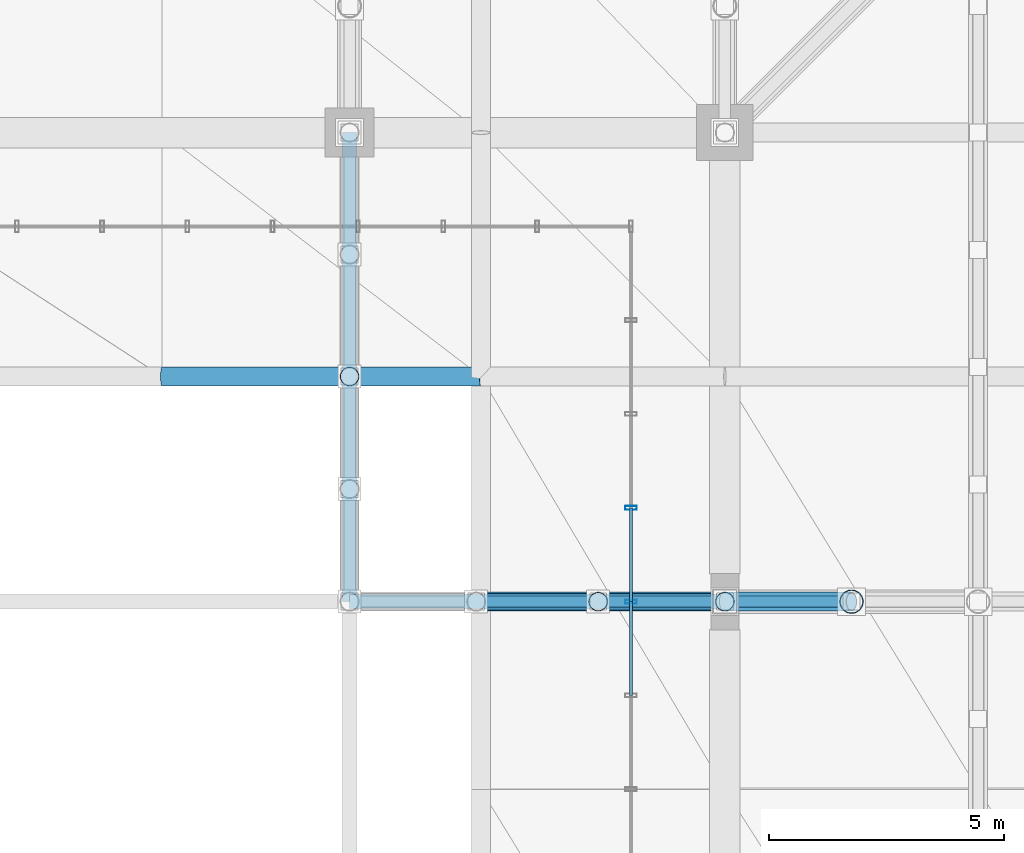
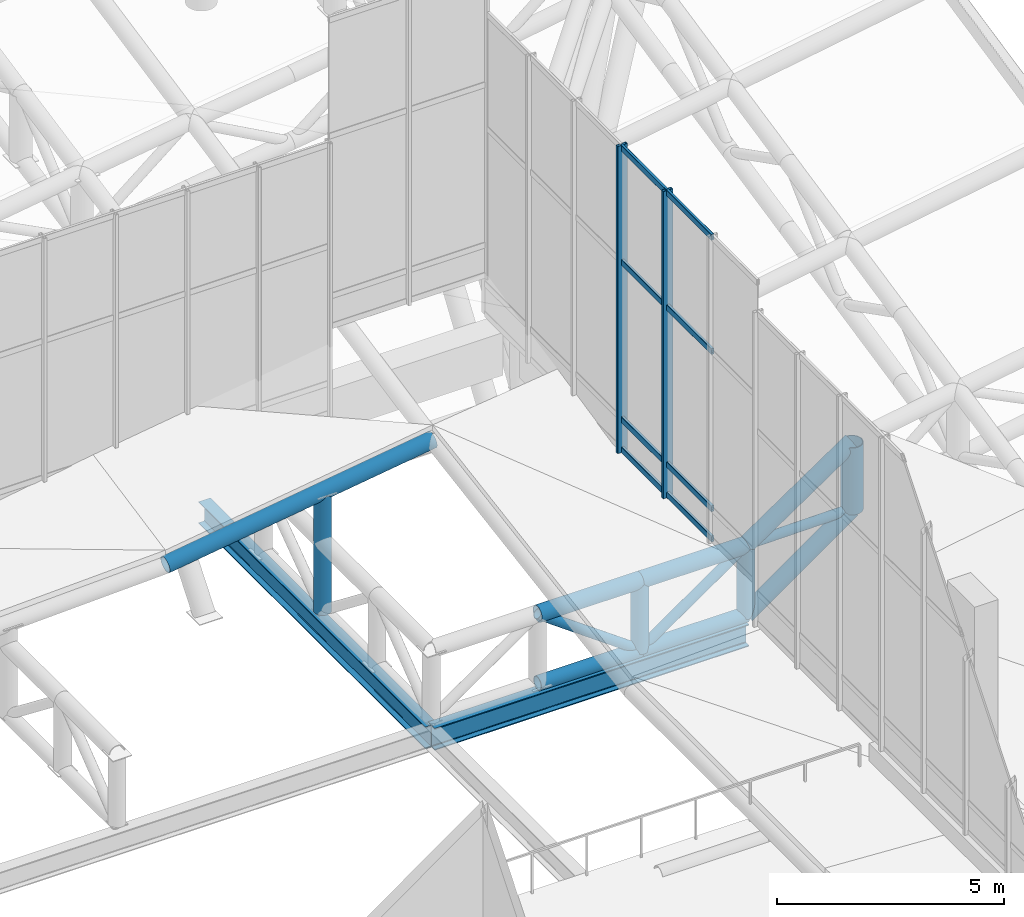
# One storey, part 86 of 137: 24 members, 2 beams, 1 element without a shape of its own.
"""IFC4 building model written with IfcOpenShell, lengths in metres."""

import ifcopenshell
import ifcopenshell.guid

model = None  # the IFC model being written
_history = None  # IfcOwnerHistory: only IFC2X3 demands one
_inside = {}  # id of a spatial element -> (the spatial element, [elements in it])
_under = {}  # id of a project, library or spatial element -> (it, [spatial elements below it])
_declared = {}  # id of a project -> (the project, [libraries it declares])
_typed = {}  # id of a type object -> (the type object, [elements of that type])
_made_of = {}  # id of a material, layer set ... -> (it, [elements and type objects made of it])


def new_model(schema):
    """Start an empty IFC model of exactly this schema.

    Asked for "IFC4X3", IfcOpenShell would pick the latest addendum, in which some entities
    have other attributes; the version numbers below select the first issue.
    IFC2X3 requires an IfcOwnerHistory on every rooted entity: one is made here for all.
    """
    global model, _history
    if schema == "IFC4X3":
        model = ifcopenshell.file(schema_version=(4, 3, 0, 0))
    else:
        model = ifcopenshell.file(schema=schema)
    _inside.clear()
    _under.clear()
    _declared.clear()
    _typed.clear()
    _made_of.clear()
    _history = None
    if model.schema == "IFC2X3":
        org = make("IfcOrganization", Name="unknown")
        user = make(
            "IfcPersonAndOrganization",
            ThePerson=make("IfcPerson", FamilyName="unknown"),
            TheOrganization=org,
        )
        app = make(
            "IfcApplication",
            ApplicationDeveloper=org,
            Version="unknown",
            ApplicationFullName="unknown",
            ApplicationIdentifier="unknown",
        )
        _history = make(
            "IfcOwnerHistory",
            OwningUser=user,
            OwningApplication=app,
            ChangeAction="ADDED",
            CreationDate=0,
        )
    return model


def make(cls, **values):
    """One entity of the class cls with the attributes given. An attribute that is None is left unset."""
    return model.create_entity(
        cls, **{name: value for name, value in values.items() if value is not None}
    )


def rooted(cls, **values):
    """An entity with a GlobalId (a new one), such as an element, a storey or a relation."""
    return make(cls, GlobalId=ifcopenshell.guid.new(), OwnerHistory=_history, **values)


def si_unit(unit_type, name, prefix=None):
    """IfcSIUnit, for example si_unit("LENGTHUNIT", "METRE", prefix="MILLI")."""
    return make("IfcSIUnit", UnitType=unit_type, Prefix=prefix, Name=name)


def assignment(units):
    """IfcUnitAssignment: the units of a project."""
    return None if units is None else make("IfcUnitAssignment", Units=units)


def point(xyz):
    """IfcCartesianPoint."""
    return None if xyz is None else make("IfcCartesianPoint", Coordinates=xyz)


def direction(xyz):
    """IfcDirection."""
    return None if xyz is None else make("IfcDirection", DirectionRatios=xyz)


def frame(location, z_axis=None, x_axis=None):
    """IfcAxis2Placement3D, a coordinate frame: its origin and axes. An axis left out is left unset."""
    return make(
        "IfcAxis2Placement3D",
        Location=point(location),
        Axis=direction(z_axis),
        RefDirection=direction(x_axis),
    )


def frame_2d(location, x_axis=None):
    """IfcAxis2Placement2D, a coordinate frame in the plane: its origin and x axis."""
    return make(
        "IfcAxis2Placement2D", Location=point(location), RefDirection=direction(x_axis)
    )


def origin():
    """The frame at (0, 0, 0) with its axes left unset."""
    return frame((0.0, 0.0, 0.0))


def origin_2d():
    """The frame at (0, 0) in the plane with its x axis left unset."""
    return frame_2d((0.0, 0.0))


def place(relative_to, where):
    """IfcLocalPlacement: puts the frame where relative to a parent placement (None: the world)."""
    return make(
        "IfcLocalPlacement", PlacementRelTo=relative_to, RelativePlacement=where
    )


def context(
    kind, dimensions, precision=None, world=None, true_north=None, identifier=None
):
    """IfcGeometricRepresentationContext, for example the 3D "Model" context."""
    return make(
        "IfcGeometricRepresentationContext",
        ContextIdentifier=identifier,
        ContextType=kind,
        CoordinateSpaceDimension=dimensions,
        Precision=precision,
        WorldCoordinateSystem=world,
        TrueNorth=true_north,
    )


def subcontext(parent, identifier, kind, view, scale=None):
    """IfcGeometricRepresentationSubContext, for example "Body" below "Model"."""
    return make(
        "IfcGeometricRepresentationSubContext",
        ContextIdentifier=identifier,
        ContextType=kind,
        ParentContext=parent,
        TargetScale=scale,
        TargetView=view,
    )


def project(units=None, contexts=None):
    """IfcProject with its units and contexts."""
    return rooted(
        "IfcProject",
        Name="project",
        RepresentationContexts=contexts,
        UnitsInContext=assignment(units),
    )


def spatial(cls, under=None, at=None, **own):
    """A site, building, storey or space (cls), placed at a placement, below another one or the project."""
    s = rooted(cls, ObjectPlacement=at, **own)
    if under is not None:
        _under.setdefault(under.id(), (under, []))[1].append(s)
    return s


def profile(cls, at=None, kind="AREA", **sizes):
    """A parametric profile (cls). Its sizes go by their IFC names, for example OverallWidth=200.0."""
    return make(cls, ProfileType=kind, Position=at, **sizes)


def hollow_rectangle(**sizes):
    """IfcRectangleHollowProfileDef."""
    return profile("IfcRectangleHollowProfileDef", **sizes)


def hollow_circle(**sizes):
    """IfcCircleHollowProfileDef."""
    return profile("IfcCircleHollowProfileDef", **sizes)


def i_section(**sizes):
    """IfcIShapeProfileDef."""
    return profile("IfcIShapeProfileDef", **sizes)


def extrude(swept, where, along, depth):
    """IfcExtrudedAreaSolid: the profile swept, set in the frame where, extruded along a direction by depth."""
    return make(
        "IfcExtrudedAreaSolid",
        SweptArea=swept,
        Position=where,
        ExtrudedDirection=direction(along),
        Depth=depth,
    )


def shape(context_of_items, identifier, shape_type, items):
    """IfcShapeRepresentation: the items that make up one representation, for example the "Body"."""
    return make(
        "IfcShapeRepresentation",
        ContextOfItems=context_of_items,
        RepresentationIdentifier=identifier,
        RepresentationType=shape_type,
        Items=items,
    )


def material(Name=None, Category=None):
    """IfcMaterial."""
    return make("IfcMaterial", Name=Name, Category=Category)


def layer(
    of_material, thickness, ventilated=None, Name=None, Category=None, Priority=None
):
    """IfcMaterialLayer: one layer of a wall or slab, of a material (None: an air gap)."""
    return make(
        "IfcMaterialLayer",
        Material=of_material,
        LayerThickness=thickness,
        IsVentilated=ventilated,
        Name=Name,
        Category=Category,
        Priority=Priority,
    )


def layer_set(layers, Name=None):
    """IfcMaterialLayerSet."""
    return make("IfcMaterialLayerSet", MaterialLayers=layers, LayerSetName=Name)


def material_profile(
    of_material, cross_section, Name=None, Category=None, Priority=None
):
    """IfcMaterialProfile: a cross section and its material."""
    return make(
        "IfcMaterialProfile",
        Name=Name,
        Material=of_material,
        Profile=cross_section,
        Priority=Priority,
        Category=Category,
    )


def profile_set(profiles, Name=None, composite=None):
    """IfcMaterialProfileSet."""
    return make(
        "IfcMaterialProfileSet",
        Name=Name,
        MaterialProfiles=profiles,
        CompositeProfile=composite,
    )


def made_of(thing, what):
    """Note that an element or type object is made of a material, layer set ...; save() writes the relation."""
    if what is not None:
        _made_of.setdefault(what.id(), (what, []))[1].append(thing)
    return thing


def type_object(cls, material=None, **own):
    """A type object (cls), such as IfcWallType, which elements share."""
    return made_of(rooted(cls, **own), material)


def element(
    cls,
    number,
    at=None,
    inside=None,
    cuts=None,
    type_object=None,
    material=None,
    context=None,
    identifier="Body",
    shape_type=None,
    held_by="IfcProductDefinitionShape",
    body=None,
    shapes=None,
    **own,
):
    """One element of the class cls, such as IfcWall. Its Tag is "e" and its number.

    at: its placement. inside: the storey or other place that contains it. cuts: it is an
    opening in that element (IfcRelVoidsElement). A single representation is given by context,
    identifier, shape_type and body (its items); several are given by shapes. held_by: the class
    of the entity that holds the representations. save() writes the other relations.
    """
    e = rooted(cls, Tag="e%d" % number, ObjectPlacement=at, **own)
    if body is not None:
        shapes = [shape(context, identifier, shape_type, body)]
    if shapes is not None:
        e.Representation = make(held_by, Representations=shapes)
    if inside is not None:
        _inside.setdefault(inside.id(), (inside, []))[1].append(e)
    if cuts is not None:
        rooted(
            "IfcRelVoidsElement", RelatingBuildingElement=cuts, RelatedOpeningElement=e
        )
    if type_object is not None:
        _typed.setdefault(type_object.id(), (type_object, []))[1].append(e)
    return made_of(e, material)


def aggregate(whole, parts):
    """IfcRelAggregates: a whole, such as a stair, and the parts it consists of."""
    return rooted("IfcRelAggregates", RelatingObject=whole, RelatedObjects=parts)


def save(model, path):
    """Write the relations noted so far, then the file.

    IfcRelAggregates (storeys below a building ...), IfcRelContainedInSpatialStructure (elements
    in a storey), IfcRelDefinesByType, IfcRelAssociatesMaterial and IfcRelDeclares: one each for
    every whole, place, type object, material and project.
    """
    for whole, parts in _under.values():
        aggregate(whole, parts)
    for where, things in _inside.values():
        rooted(
            "IfcRelContainedInSpatialStructure",
            RelatedElements=things,
            RelatingStructure=where,
        )
    for kind, things in _typed.values():
        rooted("IfcRelDefinesByType", RelatedObjects=things, RelatingType=kind)
    for what, things in _made_of.values():
        rooted("IfcRelAssociatesMaterial", RelatedObjects=things, RelatingMaterial=what)
    for by, libraries in _declared.values():
        rooted("IfcRelDeclares", RelatingContext=by, RelatedDefinitions=libraries)
    model.write(path)


model = new_model("IFC4")

# Units and contexts
model_context = context("Model", 3, precision=1e-05, world=origin(), true_north=direction((0.0, 1.0)))
body_context = subcontext(model_context, "Body", "Model", "MODEL_VIEW")
ifc_project = project(units=[si_unit("LENGTHUNIT", "METRE"), si_unit("AREAUNIT", "SQUARE_METRE"), si_unit("VOLUMEUNIT", "CUBIC_METRE"), si_unit("PLANEANGLEUNIT", "RADIAN"), si_unit("MASSUNIT", "GRAM", prefix="KILO")], contexts=[model_context])

# Site, building, storey
site_placement = place(None, origin())
site = spatial("IfcSite", under=ifc_project, at=site_placement, CompositionType="ELEMENT")
building_placement = place(site_placement, origin())
building = spatial("IfcBuilding", under=site, at=building_placement, Name="Khorjan Park Terminus", CompositionType="ELEMENT")
storey_placement = place(building_placement, frame((0.0, 0.0, 11.4)))
storey = spatial("IfcBuildingStorey", under=building, at=storey_placement, Name="L02", CompositionType="ELEMENT", Elevation=11.4)

# Beams
ifc_material_1 = material(Name="Steel S355", Category="steel")
ifc_material_profile_1 = material_profile(ifc_material_1, i_section(OverallWidth=0.3, OverallDepth=0.59, WebThickness=0.013, FlangeThickness=0.025, FilletRadius=0.027, at=origin_2d()), Name="HEA 600")
ifc_profile_set_1 = profile_set([ifc_material_profile_1], Name="Steel S355")
beam_type = type_object("IfcBeamType", Name="BM-HEA600", PredefinedType="BEAM", material=ifc_profile_set_1)
beam_1_placement = place(storey_placement, frame((128.0, 78.0, -2.395), z_axis=(1.0, 0.0, 0.0), x_axis=(0.0, 1.0, 0.0)))
element("IfcBeam", 1, at=beam_1_placement, inside=storey, type_object=beam_type, Name="Lower shell truss support girder SB-A60 (X31)", PredefinedType="BEAM", context=body_context, shape_type="SweptSolid", body=[
    extrude(i_section(OverallWidth=0.3, OverallDepth=0.59, WebThickness=0.013, FlangeThickness=0.025, FilletRadius=0.027, at=origin_2d()), origin(), (0.0, 0.0, 1.0), 8.0),
])
beam_2_placement = place(storey_placement, frame((128.0, 78.0, -2.395), z_axis=(0.0, 1.0, 0.0), x_axis=(-1.0, 0.0, 0.0)))
element("IfcBeam", 2, at=beam_2_placement, inside=storey, type_object=beam_type, Name="Lower shell truss support girder SB-A60 (Y53)", PredefinedType="BEAM", context=body_context, shape_type="SweptSolid", body=[
    extrude(i_section(OverallWidth=0.3, OverallDepth=0.59, WebThickness=0.013, FlangeThickness=0.025, FilletRadius=0.027, at=origin_2d()), origin(), (0.0, 0.0, 1.0), 10.0),
])

# Members
ifc_material_profile_2 = material_profile(ifc_material_1, hollow_circle(Radius=0.1222, WallThickness=0.0125, at=origin_2d()), Name="CHS 244.5x12.5")
ifc_profile_set_2 = profile_set([ifc_material_profile_2], Name="Steel S355")
member_type_1 = type_object("IfcMemberType", Name="MB-BR-245", PredefinedType="BRACE", material=ifc_profile_set_2)
member_1_placement = place(storey_placement, frame((130.7, 78.0, -0.05), z_axis=(0.811830357573, 0.0, -0.583893372562), x_axis=(0.0, 1.0, 0.0)))
element("IfcMember", 3, at=member_1_placement, inside=storey, type_object=member_type_1, Name="Lower shell W/E truss diagonal (E4)", PredefinedType="BRACE", context=body_context, shape_type="SweptSolid", body=[
    extrude(hollow_circle(Radius=0.1222, WallThickness=0.0125, at=origin_2d()), origin(), (0.0, 0.0, 1.0), 3.2026),
])
member_2_placement = place(storey_placement, frame((133.3, 78.0, -1.92), z_axis=(0.822082565391, 0.0, 0.569368295289), x_axis=(0.0, 1.0, 0.0)))
element("IfcMember", 4, at=member_2_placement, inside=storey, type_object=member_type_1, Name="Lower shell W/E truss diagonal (E4)", PredefinedType="BRACE", context=body_context, shape_type="SweptSolid", body=[
    extrude(hollow_circle(Radius=0.1222, WallThickness=0.0125, at=origin_2d()), origin(), (0.0, 0.0, 1.0), 3.2843),
])
ifc_material_profile_3 = material_profile(ifc_material_1, hollow_circle(Radius=0.1222, WallThickness=0.0125, at=origin_2d()), Name="CHS 244.5x12.5")
ifc_profile_set_3 = profile_set([ifc_material_profile_3], Name="Steel S355")
member_type_2 = type_object("IfcMemberType", Name="MB-BRE-245", PredefinedType="BRACE", material=ifc_profile_set_3)
member_3_placement = place(storey_placement, frame((136.0, 78.0, -0.05), z_axis=(0.99992889373, 0.0, 0.011925077918), x_axis=(0.0, 1.0, 0.0)))
element("IfcMember", 5, at=member_3_placement, inside=storey, type_object=member_type_2, Name="Lower shell W/E truss diagonal (E4)", PredefinedType="BRACE", context=body_context, shape_type="SweptSolid", body=[
    extrude(hollow_circle(Radius=0.1222, WallThickness=0.0125, at=origin_2d()), origin(), (0.0, 0.0, 1.0), 2.7002),
])
ifc_material_profile_4 = material_profile(ifc_material_1, hollow_circle(Radius=0.1778, WallThickness=0.016, at=origin_2d()), Name="CHS 355.6x16")
ifc_profile_set_4 = profile_set([ifc_material_profile_4], Name="Steel S355")
member_type_3 = type_object("IfcMemberType", Name="MB-CH-356", PredefinedType="CHORD", material=ifc_profile_set_4)
member_4_placement = place(storey_placement, frame((130.7, 78.0, -1.92), z_axis=(1.0, 0.0, 0.0), x_axis=(0.0, 1.0, 0.0)))
element("IfcMember", 6, at=member_4_placement, inside=storey, type_object=member_type_3, Name="Lower shell W/E truss bottom chord (E4)", PredefinedType="CHORD", context=body_context, shape_type="SweptSolid", body=[
    extrude(hollow_circle(Radius=0.1778, WallThickness=0.016, at=origin_2d()), origin(), (0.0, 0.0, 1.0), 2.6),
])
member_5_placement = place(storey_placement, frame((133.3, 78.0, -1.92), z_axis=(1.0, 0.0, 0.0), x_axis=(0.0, 1.0, 0.0)))
element("IfcMember", 7, at=member_5_placement, inside=storey, type_object=member_type_3, Name="Lower shell W/E truss bottom chord (E4)", PredefinedType="CHORD", context=body_context, shape_type="SweptSolid", body=[
    extrude(hollow_circle(Radius=0.1778, WallThickness=0.016, at=origin_2d()), origin(), (0.0, 0.0, 1.0), 2.7),
])
ifc_material_profile_5 = material_profile(ifc_material_1, hollow_circle(Radius=0.2032, WallThickness=0.016, at=origin_2d()), Name="CHS 406.4x16")
ifc_profile_set_5 = profile_set([ifc_material_profile_5], Name="Steel S355")
member_type_4 = type_object("IfcMemberType", Name="MB-CH-406", PredefinedType="CHORD", material=ifc_profile_set_5)
member_6_placement = place(storey_placement, frame((124.0, 82.8, 0.709), z_axis=(0.989598684842, 0.0, 0.143855632348), x_axis=(0.0, 1.0, 0.0)))
element("IfcMember", 8, at=member_6_placement, inside=storey, type_object=member_type_4, Name="Lower wrapping shell rim chord (101)", PredefinedType="CHORD", context=body_context, shape_type="SweptSolid", body=[
    extrude(hollow_circle(Radius=0.2032, WallThickness=0.016, at=origin_2d()), origin(), (0.0, 0.0, 1.0), 6.8715),
])
member_7_placement = place(storey_placement, frame((130.7, 78.0, -0.05), z_axis=(1.0, 0.0, 0.0), x_axis=(0.0, 1.0, 0.0)))
element("IfcMember", 9, at=member_7_placement, inside=storey, type_object=member_type_4, Name="Lower shell W/E truss top chord (E4)", PredefinedType="CHORD", context=body_context, shape_type="SweptSolid", body=[
    extrude(hollow_circle(Radius=0.2032, WallThickness=0.016, at=origin_2d()), origin(), (0.0, 0.0, 1.0), 2.6),
])
member_8_placement = place(storey_placement, frame((133.3, 78.0, -0.05), z_axis=(1.0, 0.0, 0.0), x_axis=(0.0, 1.0, 0.0)))
element("IfcMember", 10, at=member_8_placement, inside=storey, type_object=member_type_4, Name="Lower shell W/E truss top chord (E4)", PredefinedType="CHORD", context=body_context, shape_type="SweptSolid", body=[
    extrude(hollow_circle(Radius=0.2032, WallThickness=0.016, at=origin_2d()), origin(), (0.0, 0.0, 1.0), 2.7),
])
ifc_material_profile_6 = material_profile(ifc_material_1, hollow_circle(Radius=0.2032, WallThickness=0.016, at=origin_2d()), Name="CHS 406.4x16")
ifc_profile_set_6 = profile_set([ifc_material_profile_6], Name="Steel S355")
member_type_5 = type_object("IfcMemberType", Name="MB-CHE-406", PredefinedType="CHORD", material=ifc_profile_set_6)
member_9_placement = place(storey_placement, frame((136.0, 78.0, -0.05), z_axis=(0.827467637473, 0.0, 0.561513409399), x_axis=(0.0, 1.0, 0.0)))
element("IfcMember", 11, at=member_9_placement, inside=storey, type_object=member_type_5, Name="Lower shell W/E truss top chord (E4)", PredefinedType="CHORD", context=body_context, shape_type="SweptSolid", body=[
    extrude(hollow_circle(Radius=0.2032, WallThickness=0.016, at=origin_2d()), origin(), (0.0, 0.0, 1.0), 3.263),
])
member_10_placement = place(storey_placement, frame((136.0, 78.0, -1.92), z_axis=(0.817492800721, 0.0, 0.575938816863), x_axis=(0.0, 1.0, 0.0)))
element("IfcMember", 12, at=member_10_placement, inside=storey, type_object=member_type_5, Name="Lower shell W/E truss bottom chord (E4)", PredefinedType="CHORD", context=body_context, shape_type="SweptSolid", body=[
    extrude(hollow_circle(Radius=0.2032, WallThickness=0.016, at=origin_2d()), origin(), (0.0, 0.0, 1.0), 3.3028),
])
ifc_material_profile_7 = material_profile(ifc_material_1, hollow_circle(Radius=0.2032, WallThickness=0.016, at=origin_2d()), Name="CHS 406.4x16")
ifc_profile_set_7 = profile_set([ifc_material_profile_7], Name="Steel S355")
member_type_6 = type_object("IfcMemberType", Name="MB-ST-406", PredefinedType="STRUT", material=ifc_profile_set_7)
member_11_placement = place(storey_placement, frame((128.0, 82.8, -1.92), z_axis=(0.0, 0.0, 1.0), x_axis=(1.0, 0.0, 0.0)))
element("IfcMember", 13, at=member_11_placement, inside=storey, type_object=member_type_6, Name="Lower shell cantilever truss post (11N)", PredefinedType="STRUT", context=body_context, shape_type="SweptSolid", body=[
    extrude(hollow_circle(Radius=0.2032, WallThickness=0.016, at=origin_2d()), origin(), (0.0, 0.0, 1.0), 3.2105),
])
for number, where, z_axis, x_axis, name in (
    (14, (133.3, 78.0, -1.92), (0.0, 0.0, 1.0), (1.0, 0.0, 0.0), "Lower shell W/E truss post (E4)"),
    (15, (136.0, 78.0, -1.92), (0.0, 0.0, 1.0), (1.0, 0.0, 0.0), "Lower shell W/E truss post (E4)"),
):
    element("IfcMember", number, at=place(storey_placement, frame(where, z_axis=z_axis, x_axis=x_axis)), inside=storey, type_object=member_type_6, Name=name, PredefinedType="STRUT", context=body_context, shape_type="SweptSolid", body=[
        extrude(hollow_circle(Radius=0.2032, WallThickness=0.016, at=origin_2d()), origin(), (0.0, 0.0, 1.0), 1.87),
    ])
ifc_material_profile_8 = material_profile(ifc_material_1, hollow_circle(Radius=0.254, WallThickness=0.02, at=origin_2d()), Name="CHS 508x20")
ifc_profile_set_8 = profile_set([ifc_material_profile_8], Name="Steel S355")
member_type_7 = type_object("IfcMemberType", Name="MB-STE-508", PredefinedType="STRUT", material=ifc_profile_set_8)
member_12_placement = place(storey_placement, frame((138.7, 78.0, -0.0178), z_axis=(0.0, 0.0, 1.0), x_axis=(1.0, 0.0, 0.0)))
element("IfcMember", 16, at=member_12_placement, inside=storey, type_object=member_type_7, Name="Lower shell W/E truss post (E4)", PredefinedType="STRUT", context=body_context, shape_type="SweptSolid", body=[
    extrude(hollow_circle(Radius=0.254, WallThickness=0.02, at=origin_2d()), origin(), (0.0, 0.0, 1.0), 1.8),
])

# Curtain wall, members
ifc_material_2 = material(Name="Anodized Bronze Aluminium", Category="aluminium")
ifc_layer = layer(ifc_material_2, 0.22)
ifc_layer_set = layer_set([ifc_layer], Name="Anodized Bronze Aluminium")
curtain_wall_type = type_object("IfcCurtainWallType", Name="CW-CONC-CLR", PredefinedType="NOTDEFINED", material=ifc_layer_set)
curtain_wall_placement = place(storey_placement, origin())
curtain_wall = element("IfcCurtainWall", 17, at=curtain_wall_placement, inside=storey, type_object=curtain_wall_type, Name="Unitized curtain wall CW-CL (CW-V2-E-CLR-04)", PredefinedType="NOTDEFINED")
ifc_material_profile_9 = material_profile(ifc_material_2, hollow_rectangle(XDim=0.08, YDim=0.25, WallThickness=0.005, InnerFilletRadius=0.005, OuterFilletRadius=0.01, at=origin_2d()), Name="ALM 80x250x5")
ifc_profile_set_9 = profile_set([ifc_material_profile_9], Name="Anodized Bronze Aluminium")
member_type_8 = type_object("IfcMemberType", Name="ML-ALM-250", PredefinedType="MULLION", material=ifc_profile_set_9)
member_13_placement = place(storey_placement, frame((134.0, 78.0, 1.9528), z_axis=(0.0, 0.0, 1.0), x_axis=(0.0, 1.0, 0.0)))
member_13 = element("IfcMember", 18, at=member_13_placement, type_object=member_type_8, Name="Curtain-wall mullion ML-25 (CW-V2-E-CLR-04-2)", PredefinedType="MULLION", context=body_context, shape_type="SweptSolid", body=[
    extrude(hollow_rectangle(XDim=0.08, YDim=0.25, WallThickness=0.005, InnerFilletRadius=0.005, OuterFilletRadius=0.01, at=origin_2d()), origin(), (0.0, 0.0, 1.0), 8.2632),
])
member_14_placement = place(storey_placement, frame((134.0, 80.0, 1.9528), z_axis=(0.0, 0.0, 1.0), x_axis=(0.0, 1.0, 0.0)))
member_14 = element("IfcMember", 19, at=member_14_placement, type_object=member_type_8, Name="Curtain-wall mullion ML-25 (CW-V2-E-CLR-04-3)", PredefinedType="MULLION", context=body_context, shape_type="SweptSolid", body=[
    extrude(hollow_rectangle(XDim=0.08, YDim=0.25, WallThickness=0.005, InnerFilletRadius=0.005, OuterFilletRadius=0.01, at=origin_2d()), origin(), (0.0, 0.0, 1.0), 8.2632),
])
ifc_material_profile_10 = material_profile(ifc_material_2, hollow_rectangle(XDim=0.07, YDim=0.16, WallThickness=0.004, InnerFilletRadius=0.004, OuterFilletRadius=0.008, at=origin_2d()), Name="ALT 70x160x4")
ifc_profile_set_10 = profile_set([ifc_material_profile_10], Name="Anodized Bronze Aluminium")
member_type_9 = type_object("IfcMemberType", Name="TR-ALT-160", PredefinedType="USERDEFINED", material=ifc_profile_set_10)
member_15_placement = place(storey_placement, frame((134.0, 76.0, 2.0278), z_axis=(0.0, 1.0, 0.0), x_axis=(-1.0, 0.0, 0.0)))
member_15 = element("IfcMember", 20, at=member_15_placement, type_object=member_type_9, Name="Curtain-wall transom TR-16 (CW-V2-E-CLR-04-1-1)", ObjectType="TRANSOM", PredefinedType="USERDEFINED", context=body_context, shape_type="SweptSolid", body=[
    extrude(hollow_rectangle(XDim=0.07, YDim=0.16, WallThickness=0.004, InnerFilletRadius=0.004, OuterFilletRadius=0.008, at=origin_2d()), origin(), (0.0, 0.0, 1.0), 2.0),
])
member_16_placement = place(storey_placement, frame((134.0, 76.0, 2.8378), z_axis=(0.0, 1.0, 0.0), x_axis=(-1.0, 0.0, 0.0)))
member_16 = element("IfcMember", 21, at=member_16_placement, type_object=member_type_9, Name="Curtain-wall transom TR-16 (CW-V2-E-CLR-04-1-2)", ObjectType="TRANSOM", PredefinedType="USERDEFINED", context=body_context, shape_type="SweptSolid", body=[
    extrude(hollow_rectangle(XDim=0.07, YDim=0.16, WallThickness=0.004, InnerFilletRadius=0.004, OuterFilletRadius=0.008, at=origin_2d()), origin(), (0.0, 0.0, 1.0), 2.0),
])
member_17_placement = place(storey_placement, frame((134.0, 76.0, 7.0676), z_axis=(0.0, 1.0, 0.0), x_axis=(-1.0, 0.0, 0.0)))
member_17 = element("IfcMember", 22, at=member_17_placement, type_object=member_type_9, Name="Curtain-wall transom TR-16 (CW-V2-E-CLR-04-1-3)", ObjectType="TRANSOM", PredefinedType="USERDEFINED", context=body_context, shape_type="SweptSolid", body=[
    extrude(hollow_rectangle(XDim=0.07, YDim=0.16, WallThickness=0.004, InnerFilletRadius=0.004, OuterFilletRadius=0.008, at=origin_2d()), origin(), (0.0, 0.0, 1.0), 2.0),
])
member_18_placement = place(storey_placement, frame((134.0, 76.0, 10.141), z_axis=(0.0, 1.0, 0.0), x_axis=(-1.0, 0.0, 0.0)))
member_18 = element("IfcMember", 23, at=member_18_placement, type_object=member_type_9, Name="Curtain-wall transom TR-16 (CW-V2-E-CLR-04-1-4)", ObjectType="TRANSOM", PredefinedType="USERDEFINED", context=body_context, shape_type="SweptSolid", body=[
    extrude(hollow_rectangle(XDim=0.07, YDim=0.16, WallThickness=0.004, InnerFilletRadius=0.004, OuterFilletRadius=0.008, at=origin_2d()), origin(), (0.0, 0.0, 1.0), 2.0),
])
member_19_placement = place(storey_placement, frame((134.0, 78.0, 2.0278), z_axis=(0.0, 1.0, 0.0), x_axis=(-1.0, 0.0, 0.0)))
member_19 = element("IfcMember", 24, at=member_19_placement, type_object=member_type_9, Name="Curtain-wall transom TR-16 (CW-V2-E-CLR-04-2-1)", ObjectType="TRANSOM", PredefinedType="USERDEFINED", context=body_context, shape_type="SweptSolid", body=[
    extrude(hollow_rectangle(XDim=0.07, YDim=0.16, WallThickness=0.004, InnerFilletRadius=0.004, OuterFilletRadius=0.008, at=origin_2d()), origin(), (0.0, 0.0, 1.0), 2.0),
])
member_20_placement = place(storey_placement, frame((134.0, 78.0, 2.8378), z_axis=(0.0, 1.0, 0.0), x_axis=(-1.0, 0.0, 0.0)))
member_20 = element("IfcMember", 25, at=member_20_placement, type_object=member_type_9, Name="Curtain-wall transom TR-16 (CW-V2-E-CLR-04-2-2)", ObjectType="TRANSOM", PredefinedType="USERDEFINED", context=body_context, shape_type="SweptSolid", body=[
    extrude(hollow_rectangle(XDim=0.07, YDim=0.16, WallThickness=0.004, InnerFilletRadius=0.004, OuterFilletRadius=0.008, at=origin_2d()), origin(), (0.0, 0.0, 1.0), 2.0),
])
member_21_placement = place(storey_placement, frame((134.0, 78.0, 7.0676), z_axis=(0.0, 1.0, 0.0), x_axis=(-1.0, 0.0, 0.0)))
member_21 = element("IfcMember", 26, at=member_21_placement, type_object=member_type_9, Name="Curtain-wall transom TR-16 (CW-V2-E-CLR-04-2-3)", ObjectType="TRANSOM", PredefinedType="USERDEFINED", context=body_context, shape_type="SweptSolid", body=[
    extrude(hollow_rectangle(XDim=0.07, YDim=0.16, WallThickness=0.004, InnerFilletRadius=0.004, OuterFilletRadius=0.008, at=origin_2d()), origin(), (0.0, 0.0, 1.0), 2.0),
])
member_22_placement = place(storey_placement, frame((134.0, 78.0, 10.141), z_axis=(0.0, 1.0, 0.0), x_axis=(-1.0, 0.0, 0.0)))
member_22 = element("IfcMember", 27, at=member_22_placement, type_object=member_type_9, Name="Curtain-wall transom TR-16 (CW-V2-E-CLR-04-2-4)", ObjectType="TRANSOM", PredefinedType="USERDEFINED", context=body_context, shape_type="SweptSolid", body=[
    extrude(hollow_rectangle(XDim=0.07, YDim=0.16, WallThickness=0.004, InnerFilletRadius=0.004, OuterFilletRadius=0.008, at=origin_2d()), origin(), (0.0, 0.0, 1.0), 2.0),
])
aggregate(curtain_wall, [member_13, member_14, member_15, member_16, member_17, member_18, member_19, member_20, member_21, member_22])

save(model, "model.ifc")
